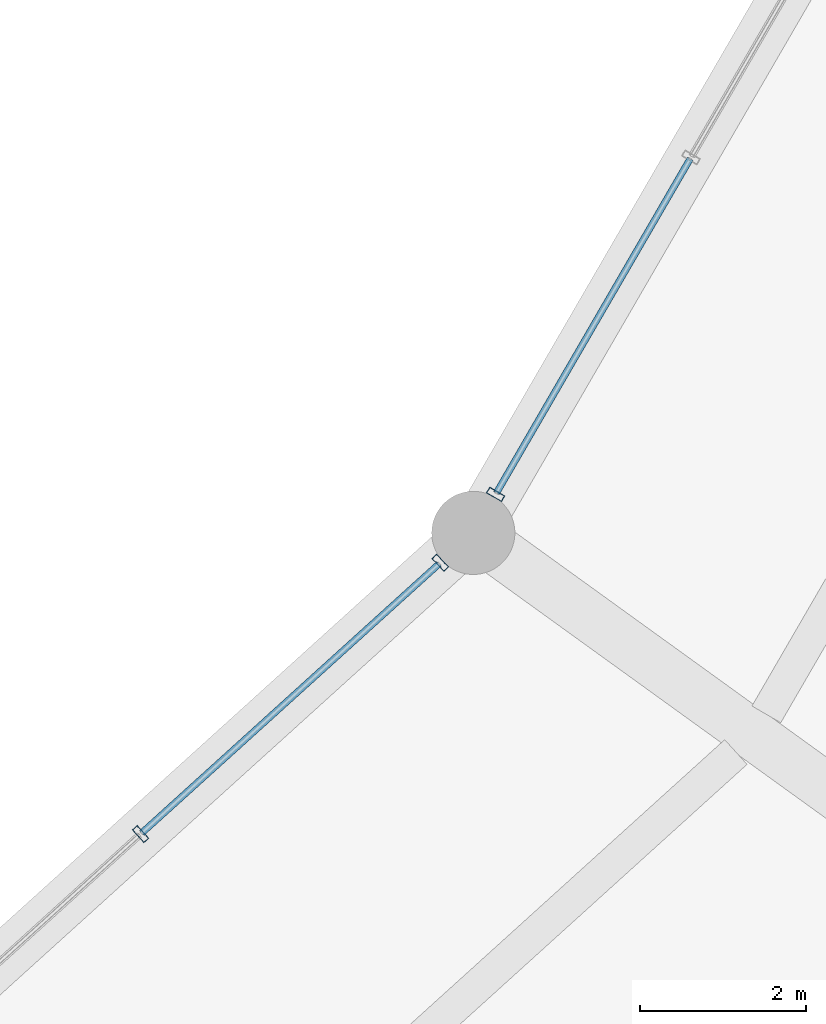
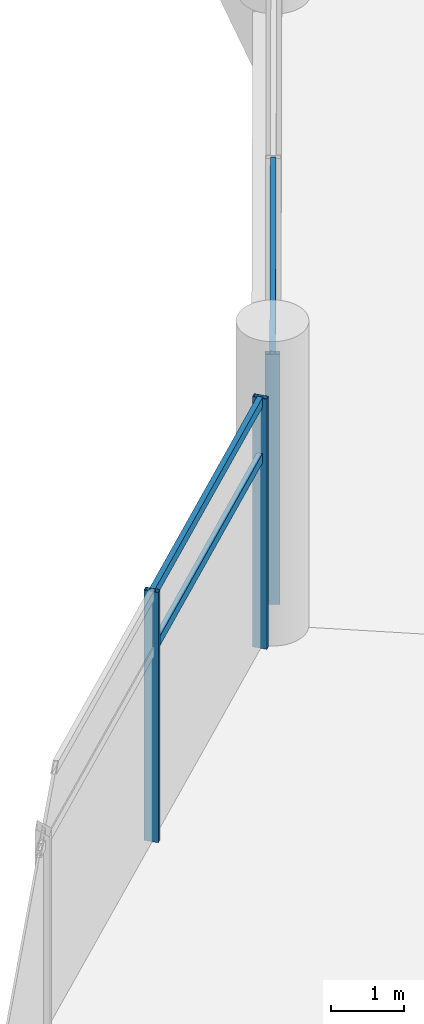
# One storey, part 69 of 184: 7 members, 2 elements without a shape of their own.
"""IFC4 building model written with IfcOpenShell, lengths in metres."""

from ifc_helpers import new_model, si_unit, direction, frame, origin, origin_2d, place, context, subcontext, project, spatial, hollow_rectangle, extrude, material, layer, layer_set, material_profile, profile_set, type_object, element, aggregate, save


model = new_model("IFC4")

# Units and contexts
model_context = context("Model", 3, precision=1e-05, world=origin(), true_north=direction((0.0, 1.0)))
body_context = subcontext(model_context, "Body", "Model", "MODEL_VIEW")
ifc_project = project(units=[si_unit("LENGTHUNIT", "METRE"), si_unit("AREAUNIT", "SQUARE_METRE"), si_unit("VOLUMEUNIT", "CUBIC_METRE"), si_unit("PLANEANGLEUNIT", "RADIAN"), si_unit("MASSUNIT", "GRAM", prefix="KILO")], contexts=[model_context])

# Site, building, storey
site_placement = place(None, origin())
site = spatial("IfcSite", under=ifc_project, at=site_placement, CompositionType="ELEMENT")
building_placement = place(site_placement, origin())
building = spatial("IfcBuilding", under=site, at=building_placement, Name="Kazemori Nagisa Stadium", CompositionType="ELEMENT")
storey_placement = place(building_placement, frame((0.0, 0.0, 10.5400390625)))
storey = spatial("IfcBuildingStorey", under=building, at=storey_placement, Name="L02", CompositionType="ELEMENT", Elevation=10.5400390625)

# Curtain wall, members
ifc_material_1 = material(Name="Anodised aluminium 6063-T5", Category="aluminium")
ifc_layer_1 = layer(ifc_material_1, 0.2099609375, Name="Anodised aluminium 6063-T5", Category="aluminium")
ifc_layer_set_1 = layer_set([ifc_layer_1], Name="Anodised aluminium 6063-T5")
curtain_wall_type_1 = type_object("IfcCurtainWallType", Name="CW_L02B_73", PredefinedType="USERDEFINED", material=ifc_layer_set_1)
curtain_wall_1_placement = place(storey_placement, origin())
curtain_wall_1 = element("IfcCurtainWall", 1, at=curtain_wall_1_placement, inside=storey, type_object=curtain_wall_type_1, Name="Unitised curtain wall CW-L02B-73 L02", ObjectType="UNITISED CURTAIN WALL", PredefinedType="USERDEFINED")
ifc_material_2 = material(Name="Aluminium 6063-T5 anodised", Category="aluminium")
ifc_material_profile_1 = material_profile(ifc_material_2, hollow_rectangle(XDim=0.080078125, YDim=0.2099609375, WallThickness=0.0048828125, at=origin_2d()), Name="ALU-MULL-80x210x5")
ifc_profile_set_1 = profile_set([ifc_material_profile_1], Name="Aluminium 6063-T5 anodised")
member_type_1 = type_object("IfcMemberType", Name="Mullion_M02", PredefinedType="MULLION", material=ifc_profile_set_1)
member_1_placement = place(storey_placement, frame((176.301025390625, 57.010986328125, 0.0), z_axis=(0.0, 0.0, 1.0), x_axis=(0.741350875443, 0.671117634607, 0.0)))
member_1 = element("IfcMember", 2, at=member_1_placement, type_object=member_type_1, Name="Curtain wall mullion CW-L02B-73-M3", PredefinedType="MULLION", context=body_context, shape_type="SweptSolid", body=[
    extrude(hollow_rectangle(XDim=0.080078125, YDim=0.2099609375, WallThickness=0.0048828125, at=origin_2d()), origin(), (0.0, 0.0, 1.0), 4.18994140625),
])
member_2_placement = place(storey_placement, frame((179.905029296875, 60.273681640625, 0.0), z_axis=(0.0, 0.0, 1.0), x_axis=(0.741350875443, 0.671117634607, 0.0)))
member_2 = element("IfcMember", 3, at=member_2_placement, type_object=member_type_1, Name="Curtain wall mullion CW-L02B-73-M4", PredefinedType="MULLION", context=body_context, shape_type="SweptSolid", body=[
    extrude(hollow_rectangle(XDim=0.080078125, YDim=0.2099609375, WallThickness=0.0048828125, at=origin_2d()), origin(), (0.0, 0.0, 1.0), 4.18994140625),
])

# Curtain wall, member
ifc_layer_2 = layer(ifc_material_1, 0.2099609375, Name="Anodised aluminium 6063-T5", Category="aluminium")
ifc_layer_set_2 = layer_set([ifc_layer_2], Name="Anodised aluminium 6063-T5")
curtain_wall_type_2 = type_object("IfcCurtainWallType", Name="CW_L02B_71", PredefinedType="USERDEFINED", material=ifc_layer_set_2)
curtain_wall_2_placement = place(storey_placement, origin())
curtain_wall_2 = element("IfcCurtainWall", 4, at=curtain_wall_2_placement, inside=storey, type_object=curtain_wall_type_2, Name="Unitised curtain wall CW-L02B-71 L02", ObjectType="UNITISED CURTAIN WALL", PredefinedType="USERDEFINED")
member_3_placement = place(storey_placement, frame((180.570068359375, 61.095458984375, 0.0), z_axis=(0.0, 0.0, 1.0), x_axis=(0.501611590054, 0.865092950337, 0.0)))
member_3 = element("IfcMember", 5, at=member_3_placement, type_object=member_type_1, Name="Curtain wall mullion CW-L02B-71-M1", PredefinedType="MULLION", context=body_context, shape_type="SweptSolid", body=[
    extrude(hollow_rectangle(XDim=0.080078125, YDim=0.2099609375, WallThickness=0.0048828125, at=origin_2d()), origin(), (0.0, 0.0, 1.0), 4.18994140625),
])

# Member
ifc_material_profile_2 = material_profile(ifc_material_2, hollow_rectangle(XDim=0.080078125, YDim=0.159912109375, WallThickness=0.00390625, at=origin_2d()), Name="ALU-TRAN-80x160x4")
ifc_profile_set_2 = profile_set([ifc_material_profile_2], Name="Aluminium 6063-T5 anodised")
member_type_2 = type_object("IfcMemberType", Name="Transom_T02", PredefinedType="USERDEFINED", material=ifc_profile_set_2)
member_4_placement = place(storey_placement, frame((176.31591796875, 57.0244140625, 3.184326171875), z_axis=(0.741327007297, 0.671143999639, 0.0), x_axis=(-0.671143999639, 0.741327007297, 0.0)))
member_4 = element("IfcMember", 6, at=member_4_placement, type_object=member_type_2, Name="Curtain wall transom CW-L02B-73-T3-mid", ObjectType="TRANSOM", PredefinedType="USERDEFINED", context=body_context, shape_type="SweptSolid", body=[
    extrude(hollow_rectangle(XDim=0.080078125, YDim=0.159912109375, WallThickness=0.00390625, at=origin_2d()), origin(), (0.0, 0.0, 1.0), 4.8212890625),
])

member_5_placement = place(storey_placement, frame((176.31591796875, 57.0244140625, 4.119873046875), z_axis=(0.741327007297, 0.671143999639, 0.0), x_axis=(-0.671143999639, 0.741327007297, 0.0)))
member_5 = element("IfcMember", 7, at=member_5_placement, type_object=member_type_2, Name="Curtain wall transom CW-L02B-73-T3-head", ObjectType="TRANSOM", PredefinedType="USERDEFINED", context=body_context, shape_type="SweptSolid", body=[
    extrude(hollow_rectangle(XDim=0.080078125, YDim=0.159912109375, WallThickness=0.00390625, at=origin_2d()), origin(), (0.0, 0.0, 1.0), 4.8212890625),
])

aggregate(curtain_wall_1, [member_1, member_2, member_4, member_5])

member_6_placement = place(storey_placement, frame((180.580078125, 61.11279296875, 3.184326171875), z_axis=(0.501610282552, 0.865093708472, 0.0), x_axis=(-0.865093708472, 0.501610282552, 0.0)))
member_6 = element("IfcMember", 8, at=member_6_placement, type_object=member_type_2, Name="Curtain wall transom CW-L02B-71-T1-mid", ObjectType="TRANSOM", PredefinedType="USERDEFINED", context=body_context, shape_type="SweptSolid", body=[
    extrude(hollow_rectangle(XDim=0.080078125, YDim=0.159912109375, WallThickness=0.00390625, at=origin_2d()), origin(), (0.0, 0.0, 1.0), 4.643310546875),
])

member_7_placement = place(storey_placement, frame((180.580078125, 61.11279296875, 4.119873046875), z_axis=(0.501610282552, 0.865093708472, 0.0), x_axis=(-0.865093708472, 0.501610282552, 0.0)))
member_7 = element("IfcMember", 9, at=member_7_placement, type_object=member_type_2, Name="Curtain wall transom CW-L02B-71-T1-head", ObjectType="TRANSOM", PredefinedType="USERDEFINED", context=body_context, shape_type="SweptSolid", body=[
    extrude(hollow_rectangle(XDim=0.080078125, YDim=0.159912109375, WallThickness=0.00390625, at=origin_2d()), origin(), (0.0, 0.0, 1.0), 4.643310546875),
])

aggregate(curtain_wall_2, [member_3, member_6, member_7])

save(model, "model.ifc")
